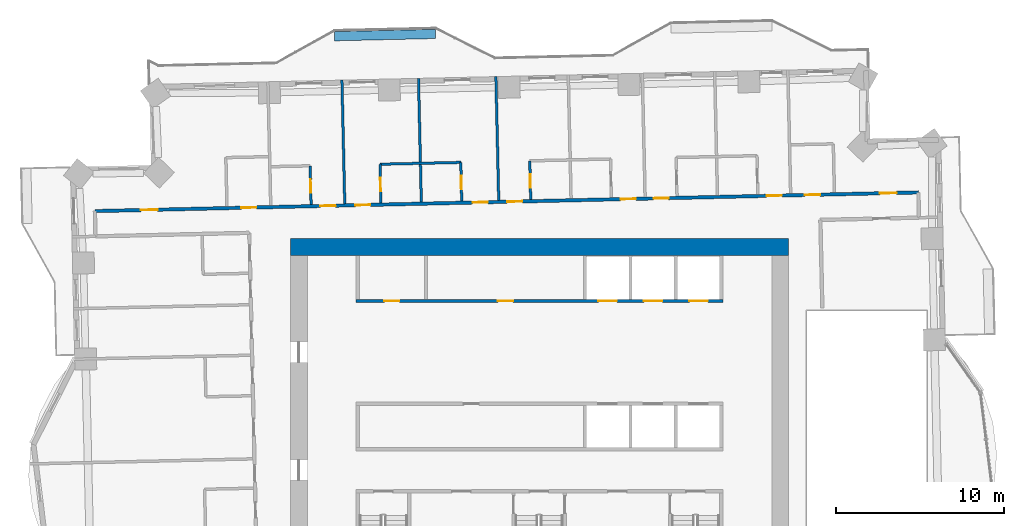
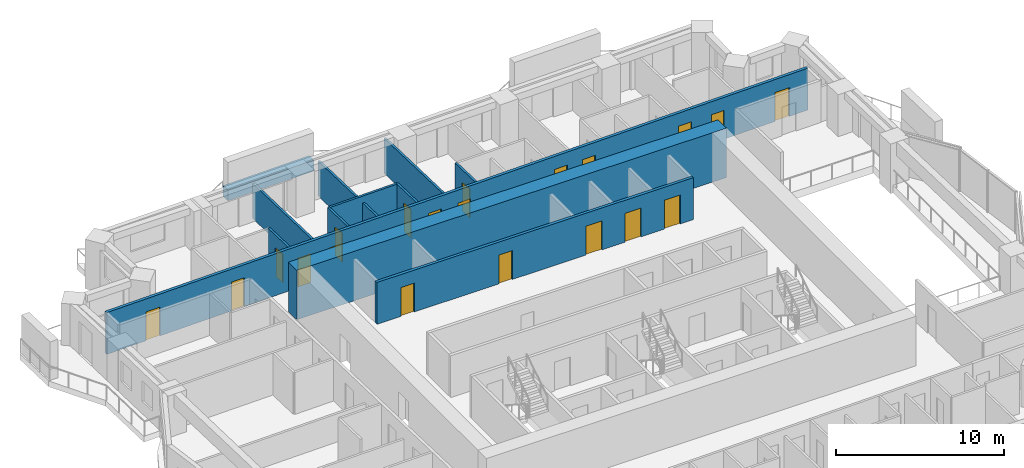
# One storey, part 10 of 16: 20 doors, 12 walls, 20 openings.
"""IFC4 building model written with IfcOpenShell, lengths in metres."""

from ifc_helpers import new_model, si_unit, direction, frame, frame_2d, origin, place, context, subcontext, project, spatial, rectangle, extrude, material, layer, layer_set, type_object, element, fill, save


model = new_model("IFC4")

# Units and contexts
model_context = context("Model", 3, precision=1e-05, world=origin(), true_north=direction((0.0, 1.0)))
body_context = subcontext(model_context, "Body", "Model", "MODEL_VIEW")
ifc_project = project(units=[si_unit("LENGTHUNIT", "METRE"), si_unit("AREAUNIT", "SQUARE_METRE"), si_unit("VOLUMEUNIT", "CUBIC_METRE"), si_unit("PLANEANGLEUNIT", "RADIAN"), si_unit("MASSUNIT", "GRAM", prefix="KILO")], contexts=[model_context])

# Site, building, storey
site_placement = place(None, origin())
site = spatial("IfcSite", under=ifc_project, at=site_placement, CompositionType="ELEMENT")
building_placement = place(site_placement, origin())
building = spatial("IfcBuilding", under=site, at=building_placement, Name="Mangrove Gate Tower", CompositionType="ELEMENT")
storey_placement = place(building_placement, frame((0.0, 0.0, 130.10009765625)))
storey = spatial("IfcBuildingStorey", under=building, at=storey_placement, Name="L32", CompositionType="ELEMENT", Elevation=130.10009765625)

# Wall, openings, doors
ifc_material_1 = material(Name="Concrete C70/85", Category="concrete")
ifc_layer_1 = layer(ifc_material_1, 0.199951171875)
ifc_layer_set_1 = layer_set([ifc_layer_1], Name="Core shaft wall 200 C70/85")
wall_type_1 = type_object("IfcWallType", Name="Core shaft wall 200 C70/85", PredefinedType="SHEAR", material=ifc_layer_set_1)
wall_1_placement = place(storey_placement, frame((-10.89990234375, 8.10009765625, 0.0), z_axis=(0.0, 0.0, 1.0), x_axis=(1.0, 0.0, 0.0)))
wall_1 = element("IfcWall", 1, at=wall_1_placement, inside=storey, type_object=wall_type_1, Name="WALL-L32-CORE-8", PredefinedType="SHEAR", context=body_context, shape_type="SweptSolid", body=[
    extrude(rectangle(XDim=21.7998046875, YDim=0.199951171875, at=frame_2d((10.89990234375, 0.0))), origin(), (0.0, 0.0, 1.0), 3.0498046875),
])
opening_1_placement = place(wall_1_placement, frame((14.39990234375, 0.0, 0.0)))
opening_1 = element("IfcOpeningElement", 2, at=opening_1_placement, cuts=wall_1, Name="Opening LD", PredefinedType="OPENING", context=body_context, shape_type="SweptSolid", body=[
    extrude(rectangle(XDim=1.10009765625, YDim=2.10009765625, at=frame_2d((0.550048828125, 1.050048828125))), frame((0.0, 0.10986328125, 0.0), z_axis=(0.0, -1.0, 0.0), x_axis=(1.0, 0.0, 0.0)), (0.0, 0.0, 1.0), 0.219970703125),
])
opening_2_placement = place(wall_1_placement, frame((17.10009765625, 0.0, 0.0)))
opening_2 = element("IfcOpeningElement", 3, at=opening_2_placement, cuts=wall_1, Name="Opening LD", PredefinedType="OPENING", context=body_context, shape_type="SweptSolid", body=[
    extrude(rectangle(XDim=1.10009765625, YDim=2.10009765625, at=frame_2d((0.550048828125, 1.050048828125))), frame((0.0, 0.10986328125, 0.0), z_axis=(0.0, -1.0, 0.0), x_axis=(1.0, 0.0, 0.0)), (0.0, 0.0, 1.0), 0.219970703125),
])
opening_3_placement = place(wall_1_placement, frame((19.800048828125, 0.0, 0.0)))
opening_3 = element("IfcOpeningElement", 4, at=opening_3_placement, cuts=wall_1, Name="Opening LD", PredefinedType="OPENING", context=body_context, shape_type="SweptSolid", body=[
    extrude(rectangle(XDim=1.10009765625, YDim=2.10009765625, at=frame_2d((0.550048828125, 1.050048828125))), frame((0.0, 0.10986328125, 0.0), z_axis=(0.0, -1.0, 0.0), x_axis=(1.0, 0.0, 0.0)), (0.0, 0.0, 1.0), 0.219970703125),
])
opening_4_placement = place(wall_1_placement, frame((1.675048828125, 0.0, 0.0)))
opening_4 = element("IfcOpeningElement", 5, at=opening_4_placement, cuts=wall_1, Name="Opening KD", PredefinedType="OPENING", context=body_context, shape_type="SweptSolid", body=[
    extrude(rectangle(XDim=0.89990234375, YDim=2.10009765625, at=frame_2d((0.449951171875, 1.050048828125))), frame((0.0, 0.10986328125, 0.0), z_axis=(0.0, -1.0, 0.0), x_axis=(1.0, 0.0, 0.0)), (0.0, 0.0, 1.0), 0.219970703125),
])
opening_5_placement = place(wall_1_placement, frame((8.425048828125, 0.0, 0.0)))
opening_5 = element("IfcOpeningElement", 6, at=opening_5_placement, cuts=wall_1, Name="Opening KD", PredefinedType="OPENING", context=body_context, shape_type="SweptSolid", body=[
    extrude(rectangle(XDim=0.89990234375, YDim=2.10009765625, at=frame_2d((0.449951171875, 1.050048828125))), frame((0.0, 0.10986328125, 0.0), z_axis=(0.0, -1.0, 0.0), x_axis=(1.0, 0.0, 0.0)), (0.0, 0.0, 1.0), 0.219970703125),
])
ifc_material_2 = material(Name="Fire-rated steel door set", Category="steel")
door_type_1 = type_object("IfcDoorType", Name="Core room door FD30S 900x2100", OperationType="SINGLE_SWING_RIGHT", PredefinedType="DOOR", material=ifc_material_2)
door_1_placement = place(opening_4_placement, origin())
door_1 = element("IfcDoor", 7, at=door_1_placement, inside=storey, type_object=door_type_1, Name="Core room door Pantry store", OperationType="SINGLE_SWING_RIGHT", OverallHeight=2.10009765625, OverallWidth=0.89990234375, PredefinedType="DOOR", context=body_context, shape_type="SweptSolid", body=[
    extrude(rectangle(XDim=0.89990234375, YDim=2.10009765625, at=frame_2d((0.449951171875, 1.050048828125))), frame((0.0, 0.02490234375, 0.0), z_axis=(0.0, -1.0, 0.0), x_axis=(1.0, 0.0, 0.0)), (0.0, 0.0, 1.0), 0.050048828125),
])
fill(opening_4, door_1)
door_2_placement = place(opening_5_placement, origin())
door_2 = element("IfcDoor", 8, at=door_2_placement, inside=storey, type_object=door_type_1, Name="Core room door Cleaner's store", OperationType="SINGLE_SWING_RIGHT", OverallHeight=2.10009765625, OverallWidth=0.89990234375, PredefinedType="DOOR", context=body_context, shape_type="SweptSolid", body=[
    extrude(rectangle(XDim=0.89990234375, YDim=2.10009765625, at=frame_2d((0.449951171875, 1.050048828125))), frame((0.0, 0.02490234375, 0.0), z_axis=(0.0, -1.0, 0.0), x_axis=(1.0, 0.0, 0.0)), (0.0, 0.0, 1.0), 0.050048828125),
])
fill(opening_5, door_2)
ifc_material_3 = material(Name="Stainless steel 316", Category="steel")
door_type_2 = type_object("IfcDoorType", Name="Lift landing door 1100x2100", OperationType="SLIDING_TO_LEFT", PredefinedType="DOOR", material=ifc_material_3)
door_3_placement = place(opening_1_placement, origin())
door_3 = element("IfcDoor", 9, at=door_3_placement, inside=storey, type_object=door_type_2, Name="Landing door LD M04", OperationType="SLIDING_TO_LEFT", OverallHeight=2.10009765625, OverallWidth=1.10009765625, PredefinedType="DOOR", context=body_context, shape_type="SweptSolid", body=[
    extrude(rectangle(XDim=1.10009765625, YDim=2.10009765625, at=frame_2d((0.550048828125, 1.050048828125))), frame((0.0, 0.02490234375, 0.0), z_axis=(0.0, -1.0, 0.0), x_axis=(1.0, 0.0, 0.0)), (0.0, 0.0, 1.0), 0.050048828125),
])
fill(opening_1, door_3)
door_4_placement = place(opening_2_placement, origin())
door_4 = element("IfcDoor", 10, at=door_4_placement, inside=storey, type_object=door_type_2, Name="Landing door LD M05", OperationType="SLIDING_TO_LEFT", OverallHeight=2.10009765625, OverallWidth=1.10009765625, PredefinedType="DOOR", context=body_context, shape_type="SweptSolid", body=[
    extrude(rectangle(XDim=1.10009765625, YDim=2.10009765625, at=frame_2d((0.550048828125, 1.050048828125))), frame((0.0, 0.02490234375, 0.0), z_axis=(0.0, -1.0, 0.0), x_axis=(1.0, 0.0, 0.0)), (0.0, 0.0, 1.0), 0.050048828125),
])
fill(opening_2, door_4)
door_5_placement = place(opening_3_placement, origin())
door_5 = element("IfcDoor", 11, at=door_5_placement, inside=storey, type_object=door_type_2, Name="Landing door LD M06", OperationType="SLIDING_TO_LEFT", OverallHeight=2.10009765625, OverallWidth=1.10009765625, PredefinedType="DOOR", context=body_context, shape_type="SweptSolid", body=[
    extrude(rectangle(XDim=1.10009765625, YDim=2.10009765625, at=frame_2d((0.550048828125, 1.050048828125))), frame((0.0, 0.02490234375, 0.0), z_axis=(0.0, -1.0, 0.0), x_axis=(1.0, 0.0, 0.0)), (0.0, 0.0, 1.0), 0.050048828125),
])
fill(opening_3, door_5)

# Wall
ifc_material_4 = material(Name="Concrete C70/85", Category="concrete")
ifc_layer_2 = layer(ifc_material_4, 1.0)
ifc_layer_set_2 = layer_set([ifc_layer_2], Name="Core wall 1000 C70/85")
wall_type_2 = type_object("IfcWallType", Name="Core wall 1000 C70/85", PredefinedType="SHEAR", material=ifc_layer_set_2)
wall_2_placement = place(storey_placement, frame((-14.800048828125, 11.300048828125, 0.0), z_axis=(0.0, 0.0, 1.0), x_axis=(1.0, 0.0, 0.0)))
element("IfcWall", 12, at=wall_2_placement, inside=storey, type_object=wall_type_2, Name="WALL-L32-CORE-2", PredefinedType="SHEAR", context=body_context, shape_type="SweptSolid", body=[
    extrude(rectangle(XDim=29.60009765625, YDim=1.0, at=frame_2d((14.800048828125, 0.0))), origin(), (0.0, 0.0, 1.0), 3.599853515625),
])

# Wall, openings, doors
ifc_material_5 = material(Name="Gypsum board on steel stud, EI 60", Category="steel")
ifc_layer_3 = layer(ifc_material_5, 0.199951171875)
ifc_layer_set_3 = layer_set([ifc_layer_3], Name="Corridor wall EI 60")
wall_type_3 = type_object("IfcWallType", Name="Corridor wall EI 60", PredefinedType="PARTITIONING", material=ifc_layer_set_3)
wall_3_placement = place(storey_placement, frame((-26.4208984375, 13.44091796875, 0.0), z_axis=(0.0, 0.0, 1.0), x_axis=(0.999742754064, 0.022680954485, 0.0)))
wall_3 = element("IfcWall", 13, at=wall_3_placement, inside=storey, type_object=wall_type_3, Name="WALL-L32-060", PredefinedType="PARTITIONING", context=body_context, shape_type="SweptSolid", body=[
    extrude(rectangle(XDim=48.944580078125, YDim=0.199951171875, at=frame_2d((24.47216796875, 0.0))), origin(), (0.0, 0.0, 1.0), 3.0498046875),
])
opening_6_placement = place(wall_3_placement, frame((46.64697265625, 0.0, 0.0)))
opening_6 = element("IfcOpeningElement", 14, at=opening_6_placement, cuts=wall_3, Name="Opening AD", PredefinedType="OPENING", context=body_context, shape_type="SweptSolid", body=[
    extrude(rectangle(XDim=1.0, YDim=2.10009765625, at=frame_2d((0.5, 1.050048828125))), frame((0.0, 0.10986328125, 0.0), z_axis=(0.0, -1.0, 0.0), x_axis=(1.0, 0.0, 0.0)), (0.0, 0.0, 1.0), 0.219970703125),
])
opening_7_placement = place(wall_3_placement, frame((42.199951171875, 0.0, 0.0)))
opening_7 = element("IfcOpeningElement", 15, at=opening_7_placement, cuts=wall_3, Name="Opening SD", PredefinedType="OPENING", context=body_context, shape_type="SweptSolid", body=[
    extrude(rectangle(XDim=0.89990234375, YDim=2.10009765625, at=frame_2d((0.449951171875, 1.050048828125))), frame((0.0, 0.10986328125, 0.0), z_axis=(0.0, -1.0, 0.0), x_axis=(1.0, 0.0, 0.0)), (0.0, 0.0, 1.0), 0.219970703125),
])
opening_8_placement = place(wall_3_placement, frame((39.925048828125, 0.0, 0.0)))
opening_8 = element("IfcOpeningElement", 16, at=opening_8_placement, cuts=wall_3, Name="Opening BD", PredefinedType="OPENING", context=body_context, shape_type="SweptSolid", body=[
    extrude(rectangle(XDim=0.89990234375, YDim=2.10009765625, at=frame_2d((0.449951171875, 1.050048828125))), frame((0.0, 0.10986328125, 0.0), z_axis=(0.0, -1.0, 0.0), x_axis=(1.0, 0.0, 0.0)), (0.0, 0.0, 1.0), 0.219970703125),
])
opening_9_placement = place(wall_3_placement, frame((33.199951171875, 0.0, 0.0)))
opening_9 = element("IfcOpeningElement", 17, at=opening_9_placement, cuts=wall_3, Name="Opening BD", PredefinedType="OPENING", context=body_context, shape_type="SweptSolid", body=[
    extrude(rectangle(XDim=0.89990234375, YDim=2.10009765625, at=frame_2d((0.449951171875, 1.050048828125))), frame((0.0, 0.10986328125, 0.0), z_axis=(0.0, -1.0, 0.0), x_axis=(1.0, 0.0, 0.0)), (0.0, 0.0, 1.0), 0.219970703125),
])
opening_10_placement = place(wall_3_placement, frame((31.25, 0.0, 0.0)))
opening_10 = element("IfcOpeningElement", 18, at=opening_10_placement, cuts=wall_3, Name="Opening BD", PredefinedType="OPENING", context=body_context, shape_type="SweptSolid", body=[
    extrude(rectangle(XDim=0.89990234375, YDim=2.10009765625, at=frame_2d((0.449951171875, 1.050048828125))), frame((0.0, 0.10986328125, 0.0), z_axis=(0.0, -1.0, 0.0), x_axis=(1.0, 0.0, 0.0)), (0.0, 0.0, 1.0), 0.219970703125),
])
opening_11_placement = place(wall_3_placement, frame((24.5, 0.0, 0.0)))
opening_11 = element("IfcOpeningElement", 19, at=opening_11_placement, cuts=wall_3, Name="Opening BD", PredefinedType="OPENING", context=body_context, shape_type="SweptSolid", body=[
    extrude(rectangle(XDim=0.89990234375, YDim=2.10009765625, at=frame_2d((0.449951171875, 1.050048828125))), frame((0.0, 0.10986328125, 0.0), z_axis=(0.0, -1.0, 0.0), x_axis=(1.0, 0.0, 0.0)), (0.0, 0.0, 1.0), 0.219970703125),
])
opening_12_placement = place(wall_3_placement, frame((22.449951171875, 0.0, 0.0)))
opening_12 = element("IfcOpeningElement", 20, at=opening_12_placement, cuts=wall_3, Name="Opening BD", PredefinedType="OPENING", context=body_context, shape_type="SweptSolid", body=[
    extrude(rectangle(XDim=0.89990234375, YDim=2.10009765625, at=frame_2d((0.449951171875, 1.050048828125))), frame((0.0, 0.10986328125, 0.0), z_axis=(0.0, -1.0, 0.0), x_axis=(1.0, 0.0, 0.0)), (0.0, 0.0, 1.0), 0.219970703125),
])
opening_13_placement = place(wall_3_placement, frame((15.47509765625, 0.0, 0.0)))
opening_13 = element("IfcOpeningElement", 21, at=opening_13_placement, cuts=wall_3, Name="Opening BD", PredefinedType="OPENING", context=body_context, shape_type="SweptSolid", body=[
    extrude(rectangle(XDim=0.89990234375, YDim=2.10009765625, at=frame_2d((0.449951171875, 1.050048828125))), frame((0.0, 0.10986328125, 0.0), z_axis=(0.0, -1.0, 0.0), x_axis=(1.0, 0.0, 0.0)), (0.0, 0.0, 1.0), 0.219970703125),
])
opening_14_placement = place(wall_3_placement, frame((13.39990234375, 0.0, 0.0)))
opening_14 = element("IfcOpeningElement", 22, at=opening_14_placement, cuts=wall_3, Name="Opening BD", PredefinedType="OPENING", context=body_context, shape_type="SweptSolid", body=[
    extrude(rectangle(XDim=0.89990234375, YDim=2.10009765625, at=frame_2d((0.449951171875, 1.050048828125))), frame((0.0, 0.10986328125, 0.0), z_axis=(0.0, -1.0, 0.0), x_axis=(1.0, 0.0, 0.0)), (0.0, 0.0, 1.0), 0.219970703125),
])
opening_15_placement = place(wall_3_placement, frame((2.72509765625, 0.0, 0.0)))
opening_15 = element("IfcOpeningElement", 23, at=opening_15_placement, cuts=wall_3, Name="Opening AD", PredefinedType="OPENING", context=body_context, shape_type="SweptSolid", body=[
    extrude(rectangle(XDim=1.0, YDim=2.10009765625, at=frame_2d((0.5, 1.050048828125))), frame((0.0, 0.10986328125, 0.0), z_axis=(0.0, -1.0, 0.0), x_axis=(1.0, 0.0, 0.0)), (0.0, 0.0, 1.0), 0.219970703125),
])
opening_16_placement = place(wall_3_placement, frame((8.699951171875, 0.0, 0.0)))
opening_16 = element("IfcOpeningElement", 24, at=opening_16_placement, cuts=wall_3, Name="Opening SD", PredefinedType="OPENING", context=body_context, shape_type="SweptSolid", body=[
    extrude(rectangle(XDim=0.89990234375, YDim=2.10009765625, at=frame_2d((0.449951171875, 1.050048828125))), frame((0.0, 0.10986328125, 0.0), z_axis=(0.0, -1.0, 0.0), x_axis=(1.0, 0.0, 0.0)), (0.0, 0.0, 1.0), 0.219970703125),
])
ifc_material_6 = material(Name="Timber door leaf", Category="wood")
door_type_3 = type_object("IfcDoorType", Name="Amenity door 1000", OperationType="SINGLE_SWING_LEFT", PredefinedType="DOOR", material=ifc_material_6)
door_6_placement = place(opening_6_placement, origin())
door_6 = element("IfcDoor", 25, at=door_6_placement, inside=storey, type_object=door_type_3, Name="DOOR-L32-KIT-c3b", OperationType="SINGLE_SWING_RIGHT", OverallHeight=2.10009765625, OverallWidth=1.0, PredefinedType="DOOR", context=body_context, shape_type="SweptSolid", body=[
    extrude(rectangle(XDim=1.0, YDim=2.10009765625, at=frame_2d((0.5, 1.050048828125))), frame((0.0, 0.02490234375, 0.0), z_axis=(0.0, -1.0, 0.0), x_axis=(1.0, 0.0, 0.0)), (0.0, 0.0, 1.0), 0.050048828125),
])
fill(opening_6, door_6)
door_7_placement = place(opening_15_placement, origin())
door_7 = element("IfcDoor", 26, at=door_7_placement, inside=storey, type_object=door_type_3, Name="DOOR-L32-LNG-c5a", OperationType="SINGLE_SWING_LEFT", OverallHeight=2.10009765625, OverallWidth=1.0, PredefinedType="DOOR", context=body_context, shape_type="SweptSolid", body=[
    extrude(rectangle(XDim=1.0, YDim=2.10009765625, at=frame_2d((0.5, 1.050048828125))), frame((0.0, 0.02490234375, 0.0), z_axis=(0.0, -1.0, 0.0), x_axis=(1.0, 0.0, 0.0)), (0.0, 0.0, 1.0), 0.050048828125),
])
fill(opening_15, door_7)
ifc_material_7 = material(Name="Timber door leaf", Category="wood")
door_type_4 = type_object("IfcDoorType", Name="Bedroom door 900", OperationType="SINGLE_SWING_LEFT", PredefinedType="DOOR", material=ifc_material_7)
door_8_placement = place(opening_8_placement, origin())
door_8 = element("IfcDoor", 27, at=door_8_placement, inside=storey, type_object=door_type_4, Name="DOOR-L32-BED-c309", OperationType="SINGLE_SWING_LEFT", OverallHeight=2.10009765625, OverallWidth=0.89990234375, PredefinedType="DOOR", context=body_context, shape_type="SweptSolid", body=[
    extrude(rectangle(XDim=0.89990234375, YDim=2.10009765625, at=frame_2d((0.449951171875, 1.050048828125))), frame((0.0, 0.02490234375, 0.0), z_axis=(0.0, -1.0, 0.0), x_axis=(1.0, 0.0, 0.0)), (0.0, 0.0, 1.0), 0.050048828125),
])
fill(opening_8, door_8)
door_9_placement = place(opening_9_placement, origin())
door_9 = element("IfcDoor", 28, at=door_9_placement, inside=storey, type_object=door_type_4, Name="DOOR-L32-BED-c410", OperationType="SINGLE_SWING_RIGHT", OverallHeight=2.10009765625, OverallWidth=0.89990234375, PredefinedType="DOOR", context=body_context, shape_type="SweptSolid", body=[
    extrude(rectangle(XDim=0.89990234375, YDim=2.10009765625, at=frame_2d((0.449951171875, 1.050048828125))), frame((0.0, 0.02490234375, 0.0), z_axis=(0.0, -1.0, 0.0), x_axis=(1.0, 0.0, 0.0)), (0.0, 0.0, 1.0), 0.050048828125),
])
fill(opening_9, door_9)
door_10_placement = place(opening_10_placement, origin())
door_10 = element("IfcDoor", 29, at=door_10_placement, inside=storey, type_object=door_type_4, Name="DOOR-L32-BED-c411", OperationType="SINGLE_SWING_LEFT", OverallHeight=2.10009765625, OverallWidth=0.89990234375, PredefinedType="DOOR", context=body_context, shape_type="SweptSolid", body=[
    extrude(rectangle(XDim=0.89990234375, YDim=2.10009765625, at=frame_2d((0.449951171875, 1.050048828125))), frame((0.0, 0.02490234375, 0.0), z_axis=(0.0, -1.0, 0.0), x_axis=(1.0, 0.0, 0.0)), (0.0, 0.0, 1.0), 0.050048828125),
])
fill(opening_10, door_10)
door_11_placement = place(opening_11_placement, origin())
door_11 = element("IfcDoor", 30, at=door_11_placement, inside=storey, type_object=door_type_4, Name="DOOR-L32-BED-c412", OperationType="SINGLE_SWING_RIGHT", OverallHeight=2.10009765625, OverallWidth=0.89990234375, PredefinedType="DOOR", context=body_context, shape_type="SweptSolid", body=[
    extrude(rectangle(XDim=0.89990234375, YDim=2.10009765625, at=frame_2d((0.449951171875, 1.050048828125))), frame((0.0, 0.02490234375, 0.0), z_axis=(0.0, -1.0, 0.0), x_axis=(1.0, 0.0, 0.0)), (0.0, 0.0, 1.0), 0.050048828125),
])
fill(opening_11, door_11)
door_12_placement = place(opening_12_placement, origin())
door_12 = element("IfcDoor", 31, at=door_12_placement, inside=storey, type_object=door_type_4, Name="DOOR-L32-BED-c513", OperationType="SINGLE_SWING_LEFT", OverallHeight=2.10009765625, OverallWidth=0.89990234375, PredefinedType="DOOR", context=body_context, shape_type="SweptSolid", body=[
    extrude(rectangle(XDim=0.89990234375, YDim=2.10009765625, at=frame_2d((0.449951171875, 1.050048828125))), frame((0.0, 0.02490234375, 0.0), z_axis=(0.0, -1.0, 0.0), x_axis=(1.0, 0.0, 0.0)), (0.0, 0.0, 1.0), 0.050048828125),
])
fill(opening_12, door_12)
door_13_placement = place(opening_13_placement, origin())
door_13 = element("IfcDoor", 32, at=door_13_placement, inside=storey, type_object=door_type_4, Name="DOOR-L32-BED-c514", OperationType="SINGLE_SWING_RIGHT", OverallHeight=2.10009765625, OverallWidth=0.89990234375, PredefinedType="DOOR", context=body_context, shape_type="SweptSolid", body=[
    extrude(rectangle(XDim=0.89990234375, YDim=2.10009765625, at=frame_2d((0.449951171875, 1.050048828125))), frame((0.0, 0.02490234375, 0.0), z_axis=(0.0, -1.0, 0.0), x_axis=(1.0, 0.0, 0.0)), (0.0, 0.0, 1.0), 0.050048828125),
])
fill(opening_13, door_13)
door_14_placement = place(opening_14_placement, origin())
door_14 = element("IfcDoor", 33, at=door_14_placement, inside=storey, type_object=door_type_4, Name="DOOR-L32-BED-c515", OperationType="SINGLE_SWING_LEFT", OverallHeight=2.10009765625, OverallWidth=0.89990234375, PredefinedType="DOOR", context=body_context, shape_type="SweptSolid", body=[
    extrude(rectangle(XDim=0.89990234375, YDim=2.10009765625, at=frame_2d((0.449951171875, 1.050048828125))), frame((0.0, 0.02490234375, 0.0), z_axis=(0.0, -1.0, 0.0), x_axis=(1.0, 0.0, 0.0)), (0.0, 0.0, 1.0), 0.050048828125),
])
fill(opening_14, door_14)
ifc_material_8 = material(Name="Timber door leaf", Category="wood")
door_type_5 = type_object("IfcDoorType", Name="Service room door 900", OperationType="SINGLE_SWING_LEFT", PredefinedType="DOOR", material=ifc_material_8)
door_15_placement = place(opening_7_placement, origin())
door_15 = element("IfcDoor", 34, at=door_15_placement, inside=storey, type_object=door_type_5, Name="DOOR-L32-AWC-c3a", OperationType="SINGLE_SWING_LEFT", OverallHeight=2.10009765625, OverallWidth=0.89990234375, PredefinedType="DOOR", context=body_context, shape_type="SweptSolid", body=[
    extrude(rectangle(XDim=0.89990234375, YDim=2.10009765625, at=frame_2d((0.449951171875, 1.050048828125))), frame((0.0, 0.02490234375, 0.0), z_axis=(0.0, -1.0, 0.0), x_axis=(1.0, 0.0, 0.0)), (0.0, 0.0, 1.0), 0.050048828125),
])
fill(opening_7, door_15)
door_16_placement = place(opening_16_placement, origin())
door_16 = element("IfcDoor", 35, at=door_16_placement, inside=storey, type_object=door_type_5, Name="DOOR-L32-AWC-c5a", OperationType="SINGLE_SWING_RIGHT", OverallHeight=2.10009765625, OverallWidth=0.89990234375, PredefinedType="DOOR", context=body_context, shape_type="SweptSolid", body=[
    extrude(rectangle(XDim=0.89990234375, YDim=2.10009765625, at=frame_2d((0.449951171875, 1.050048828125))), frame((0.0, 0.02490234375, 0.0), z_axis=(0.0, -1.0, 0.0), x_axis=(1.0, 0.0, 0.0)), (0.0, 0.0, 1.0), 0.050048828125),
])
fill(opening_16, door_16)

# Wall, opening, door
ifc_material_9 = material(Name="Gypsum board on steel stud, EI 60", Category="steel")
ifc_layer_4 = layer(ifc_material_9, 0.14990234375)
ifc_layer_set_4 = layer_set([ifc_layer_4], Name="Party wall 150 EI 60")
wall_type_4 = type_object("IfcWallType", Name="Party wall 150 EI 60", PredefinedType="PARTITIONING", material=ifc_layer_set_4)
wall_4_placement = place(storey_placement, frame((-13.573974609375, 13.83203125, 0.0), z_axis=(0.0, 0.0, 1.0), x_axis=(-0.023027540424, 0.999734831034, 0.0)))
wall_4 = element("IfcWall", 36, at=wall_4_placement, inside=storey, type_object=wall_type_4, Name="WALL-L32-063", PredefinedType="PARTITIONING", context=body_context, shape_type="SweptSolid", body=[
    extrude(rectangle(XDim=2.300537109375, YDim=0.14990234375, at=frame_2d((1.150390625, 0.0))), origin(), (0.0, 0.0, 1.0), 3.0498046875),
])
opening_17_placement = place(wall_4_placement, frame((0.699951171875, 0.0, 0.0)))
opening_17 = element("IfcOpeningElement", 37, at=opening_17_placement, cuts=wall_4, Name="Opening ED", PredefinedType="OPENING", context=body_context, shape_type="SweptSolid", body=[
    extrude(rectangle(XDim=0.800048828125, YDim=2.10009765625, at=frame_2d((0.39990234375, 1.050048828125))), frame((0.0, 0.0849609375, 0.0), z_axis=(0.0, -1.0, 0.0), x_axis=(1.0, 0.0, 0.0)), (0.0, 0.0, 1.0), 0.169921875),
])
ifc_material_10 = material(Name="Timber door leaf", Category="wood")
door_type_6 = type_object("IfcDoorType", Name="En-suite door 800", OperationType="SINGLE_SWING_LEFT", PredefinedType="DOOR", material=ifc_material_10)
door_17_placement = place(opening_17_placement, origin())
door_17 = element("IfcDoor", 38, at=door_17_placement, inside=storey, type_object=door_type_6, Name="DOOR-L32-ENS-c515", OperationType="SINGLE_SWING_LEFT", OverallHeight=2.10009765625, OverallWidth=0.800048828125, PredefinedType="DOOR", context=body_context, shape_type="SweptSolid", body=[
    extrude(rectangle(XDim=0.800048828125, YDim=2.10009765625, at=frame_2d((0.39990234375, 1.050048828125))), frame((0.0, 0.02490234375, 0.0), z_axis=(0.0, -1.0, 0.0), x_axis=(1.0, 0.0, 0.0)), (0.0, 0.0, 1.0), 0.050048828125),
])
fill(opening_17, door_17)

# Wall
wall_5_placement = place(storey_placement, frame((-11.574951171875, 13.8779296875, 0.0), z_axis=(0.0, 0.0, 1.0), x_axis=(-0.022719896304, 0.99974186984, 0.0)))
element("IfcWall", 39, at=wall_5_placement, inside=storey, type_object=wall_type_4, Name="WALL-L32-064", PredefinedType="PARTITIONING", context=body_context, shape_type="SweptSolid", body=[
    extrude(rectangle(XDim=7.35009765625, YDim=0.14990234375, at=frame_2d((3.675048828125, 0.0))), origin(), (0.0, 0.0, 1.0), 2.5498046875),
])

# Wall, opening, door
wall_6_placement = place(storey_placement, frame((-9.425048828125, 13.926025390625, 0.0), z_axis=(0.0, 0.0, 1.0), x_axis=(-0.023027540424, 0.999734831034, 0.0)))
wall_6 = element("IfcWall", 40, at=wall_6_placement, inside=storey, type_object=wall_type_4, Name="WALL-L32-065", PredefinedType="PARTITIONING", context=body_context, shape_type="SweptSolid", body=[
    extrude(rectangle(XDim=2.300537109375, YDim=0.14990234375, at=frame_2d((1.150390625, 0.0))), origin(), (0.0, 0.0, 1.0), 3.0498046875),
])
opening_18_placement = place(wall_6_placement, frame((0.699951171875, 0.0, 0.0)))
opening_18 = element("IfcOpeningElement", 41, at=opening_18_placement, cuts=wall_6, Name="Opening ED", PredefinedType="OPENING", context=body_context, shape_type="SweptSolid", body=[
    extrude(rectangle(XDim=0.800048828125, YDim=2.10009765625, at=frame_2d((0.39990234375, 1.050048828125))), frame((0.0, 0.0849609375, 0.0), z_axis=(0.0, -1.0, 0.0), x_axis=(1.0, 0.0, 0.0)), (0.0, 0.0, 1.0), 0.169921875),
])
door_18_placement = place(opening_18_placement, origin())
door_18 = element("IfcDoor", 42, at=door_18_placement, inside=storey, type_object=door_type_6, Name="DOOR-L32-ENS-c514", OperationType="SINGLE_SWING_RIGHT", OverallHeight=2.10009765625, OverallWidth=0.800048828125, PredefinedType="DOOR", context=body_context, shape_type="SweptSolid", body=[
    extrude(rectangle(XDim=0.800048828125, YDim=2.10009765625, at=frame_2d((0.39990234375, 1.050048828125))), frame((0.0, 0.02490234375, 0.0), z_axis=(0.0, -1.0, 0.0), x_axis=(1.0, 0.0, 0.0)), (0.0, 0.0, 1.0), 0.050048828125),
])
fill(opening_18, door_18)

# Wall
wall_7_placement = place(storey_placement, frame((-7.02587890625, 13.98095703125, 0.0), z_axis=(0.0, 0.0, 1.0), x_axis=(-0.022753095343, 0.999741114815, 0.0)))
element("IfcWall", 43, at=wall_7_placement, inside=storey, type_object=wall_type_4, Name="WALL-L32-066", PredefinedType="PARTITIONING", context=body_context, shape_type="SweptSolid", body=[
    extrude(rectangle(XDim=7.35009765625, YDim=0.14990234375, at=frame_2d((3.675048828125, 0.0))), origin(), (0.0, 0.0, 1.0), 2.5498046875),
])

# Wall, opening, door
wall_8_placement = place(storey_placement, frame((-4.626953125, 14.034912109375, 0.0), z_axis=(0.0, 0.0, 1.0), x_axis=(-0.022603288534, 0.999744513037, 0.0)))
wall_8 = element("IfcWall", 44, at=wall_8_placement, inside=storey, type_object=wall_type_4, Name="WALL-L32-067", PredefinedType="PARTITIONING", context=body_context, shape_type="SweptSolid", body=[
    extrude(rectangle(XDim=2.300537109375, YDim=0.14990234375, at=frame_2d((1.150390625, 0.0))), origin(), (0.0, 0.0, 1.0), 3.0498046875),
])
opening_19_placement = place(wall_8_placement, frame((0.699951171875, 0.0, 0.0)))
opening_19 = element("IfcOpeningElement", 45, at=opening_19_placement, cuts=wall_8, Name="Opening ED", PredefinedType="OPENING", context=body_context, shape_type="SweptSolid", body=[
    extrude(rectangle(XDim=0.800048828125, YDim=2.10009765625, at=frame_2d((0.39990234375, 1.050048828125))), frame((0.0, 0.0849609375, 0.0), z_axis=(0.0, -1.0, 0.0), x_axis=(1.0, 0.0, 0.0)), (0.0, 0.0, 1.0), 0.169921875),
])
door_19_placement = place(opening_19_placement, origin())
door_19 = element("IfcDoor", 46, at=door_19_placement, inside=storey, type_object=door_type_6, Name="DOOR-L32-ENS-c513", OperationType="SINGLE_SWING_LEFT", OverallHeight=2.10009765625, OverallWidth=0.800048828125, PredefinedType="DOOR", context=body_context, shape_type="SweptSolid", body=[
    extrude(rectangle(XDim=0.800048828125, YDim=2.10009765625, at=frame_2d((0.39990234375, 1.050048828125))), frame((0.0, 0.02490234375, 0.0), z_axis=(0.0, -1.0, 0.0), x_axis=(1.0, 0.0, 0.0)), (0.0, 0.0, 1.0), 0.050048828125),
])
fill(opening_19, door_19)

# Wall
wall_9_placement = place(storey_placement, frame((-2.427001953125, 14.0849609375, 0.0), z_axis=(0.0, 0.0, 1.0), x_axis=(-0.022719896304, 0.99974186984, 0.0)))
element("IfcWall", 47, at=wall_9_placement, inside=storey, type_object=wall_type_4, Name="WALL-L32-068", PredefinedType="PARTITIONING", context=body_context, shape_type="SweptSolid", body=[
    extrude(rectangle(XDim=7.35009765625, YDim=0.14990234375, at=frame_2d((3.675048828125, 0.0))), origin(), (0.0, 0.0, 1.0), 2.5498046875),
])

# Wall, opening, door
wall_10_placement = place(storey_placement, frame((-0.528076171875, 14.1279296875, 0.0), z_axis=(0.0, 0.0, 1.0), x_axis=(-0.022603288534, 0.999744513037, 0.0)))
wall_10 = element("IfcWall", 48, at=wall_10_placement, inside=storey, type_object=wall_type_4, Name="WALL-L32-069", PredefinedType="PARTITIONING", context=body_context, shape_type="SweptSolid", body=[
    extrude(rectangle(XDim=2.300537109375, YDim=0.14990234375, at=frame_2d((1.150390625, 0.0))), origin(), (0.0, 0.0, 1.0), 3.0498046875),
])
opening_20_placement = place(wall_10_placement, frame((0.699951171875, 0.0, 0.0)))
opening_20 = element("IfcOpeningElement", 49, at=opening_20_placement, cuts=wall_10, Name="Opening ED", PredefinedType="OPENING", context=body_context, shape_type="SweptSolid", body=[
    extrude(rectangle(XDim=0.800048828125, YDim=2.10009765625, at=frame_2d((0.39990234375, 1.050048828125))), frame((0.0, 0.0849609375, 0.0), z_axis=(0.0, -1.0, 0.0), x_axis=(1.0, 0.0, 0.0)), (0.0, 0.0, 1.0), 0.169921875),
])
door_20_placement = place(opening_20_placement, origin())
door_20 = element("IfcDoor", 50, at=door_20_placement, inside=storey, type_object=door_type_6, Name="DOOR-L32-ENS-c412", OperationType="SINGLE_SWING_RIGHT", OverallHeight=2.10009765625, OverallWidth=0.800048828125, PredefinedType="DOOR", context=body_context, shape_type="SweptSolid", body=[
    extrude(rectangle(XDim=0.800048828125, YDim=2.10009765625, at=frame_2d((0.39990234375, 1.050048828125))), frame((0.0, 0.02490234375, 0.0), z_axis=(0.0, -1.0, 0.0), x_axis=(1.0, 0.0, 0.0)), (0.0, 0.0, 1.0), 0.050048828125),
])
fill(opening_20, door_20)

# Walls
wall_11_placement = place(storey_placement, frame((-9.47998046875, 16.22607421875, 0.0), z_axis=(0.0, 0.0, 1.0), x_axis=(0.999742701292, 0.022683280499, 0.0)))
element("IfcWall", 51, at=wall_11_placement, inside=storey, type_object=wall_type_4, Name="WALL-L32-079", PredefinedType="PARTITIONING", context=body_context, shape_type="SweptSolid", body=[
    extrude(rectangle(XDim=4.80029296875, YDim=0.14990234375, at=frame_2d((2.400146484375, 0.0))), origin(), (0.0, 0.0, 1.0), 3.0498046875),
])
ifc_material_11 = material(Name="Concrete C32/40", Category="concrete")
ifc_layer_5 = layer(ifc_material_11, 0.199951171875, Name="Planter trough wall")
ifc_material_12 = material(Name="Bituminous waterproofing membrane")
ifc_layer_6 = layer(ifc_material_12, 0.0048828125, Name="Waterproofing")
ifc_material_13 = material(Name="Drainage board and gravel")
ifc_layer_7 = layer(ifc_material_13, 0.044921875, Name="Drainage layer")
ifc_material_14 = material(Name="Planting soil")
ifc_layer_8 = layer(ifc_material_14, 0.300048828125, Name="Growing medium")
ifc_layer_set_5 = layer_set([ifc_layer_5, ifc_layer_6, ifc_layer_7, ifc_layer_8], Name="Planter wall 550 C32/40")
wall_type_5 = type_object("IfcWallType", Name="Planter wall 550 C32/40", PredefinedType="USERDEFINED", material=ifc_layer_set_5)
wall_12_placement = place(storey_placement, frame((-12.180908203125, 23.8310546875, 0.0), z_axis=(0.0, 0.0, 1.0), x_axis=(0.999739371644, 0.02282955947, 0.0)))
element("IfcWall", 52, at=wall_12_placement, inside=storey, type_object=wall_type_5, Name="PLANTER L32 N1.1", ObjectType="PLANTER", PredefinedType="USERDEFINED", context=body_context, shape_type="SweptSolid", body=[
    extrude(rectangle(XDim=5.999267578125, YDim=0.550048828125, at=frame_2d((2.99951171875, 0.0))), origin(), (0.0, 0.0, 1.0), 0.7998046875),
])

save(model, "model.ifc")
